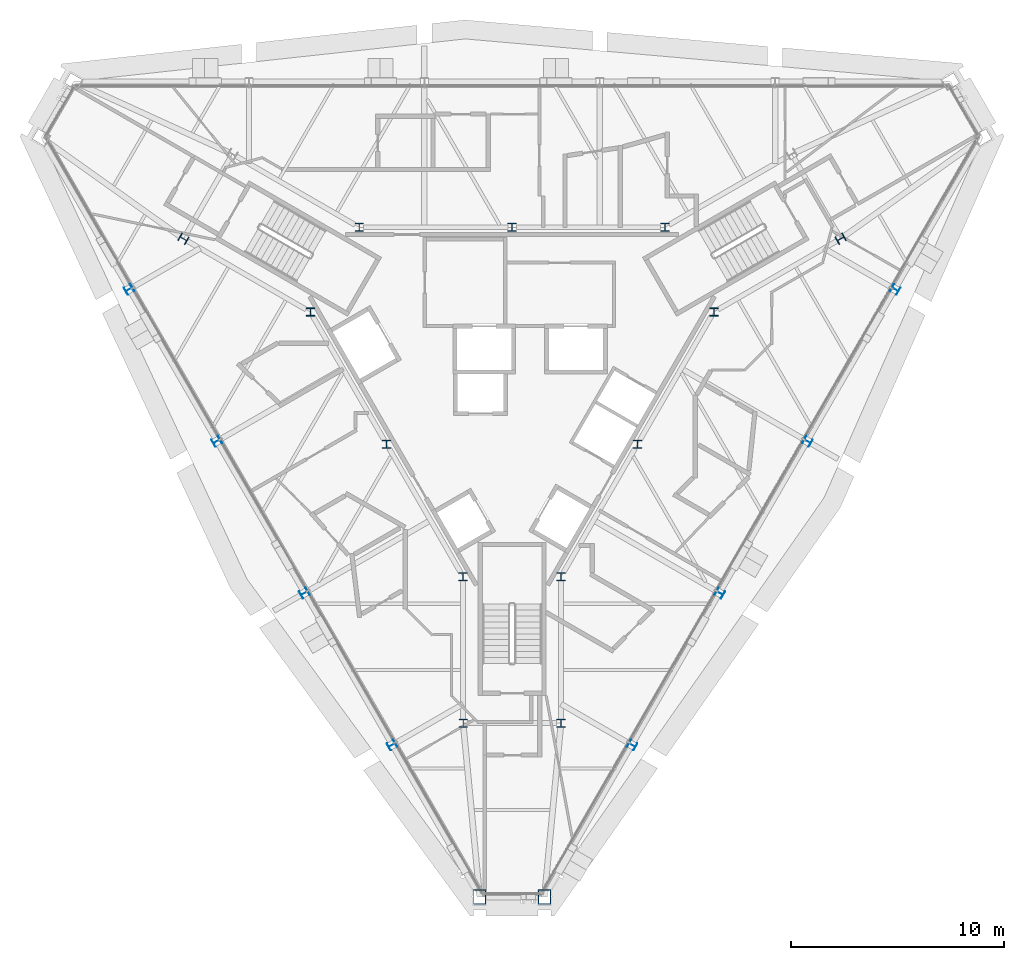
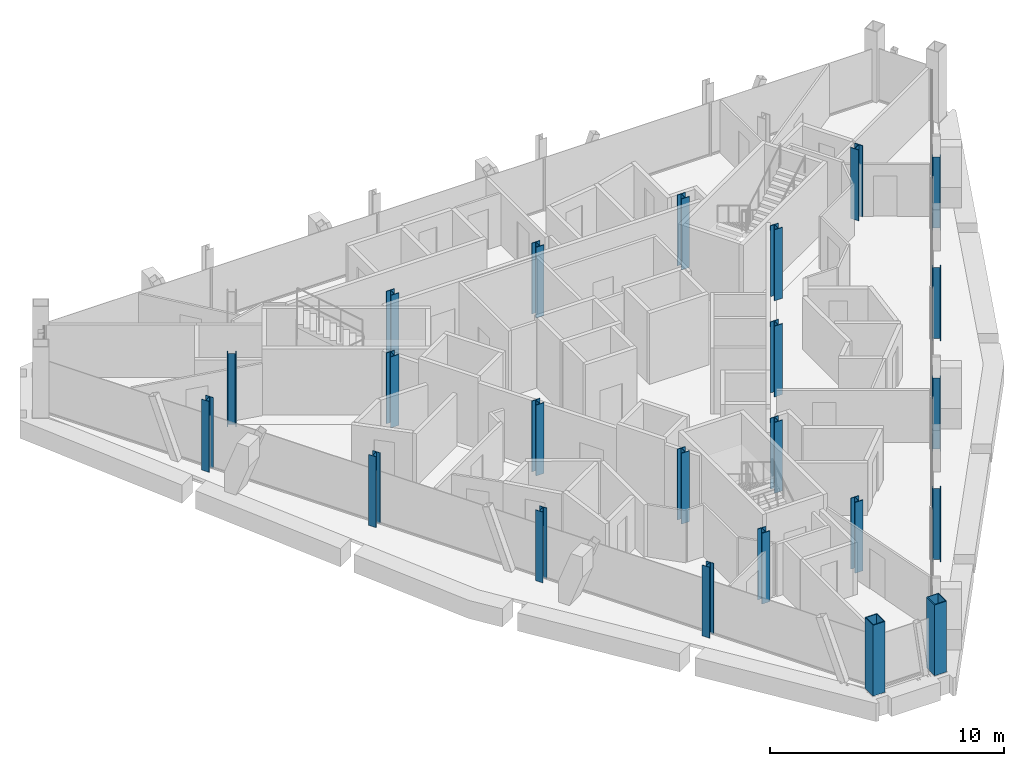
# One storey, part 1 of 13: 23 columns.
"""IFC4 building model written with IfcOpenShell, lengths in metres."""

from ifc_helpers import new_model, si_unit, direction, frame, origin, origin_2d, place, context, subcontext, project, spatial, hollow_rectangle, i_section, extrude, material, material_profile, profile_set, type_object, element, save


model = new_model("IFC4")

# Units and contexts
model_context = context("Model", 3, precision=1e-05, world=origin(), true_north=direction((0.0, 1.0)))
body_context = subcontext(model_context, "Body", "Model", "MODEL_VIEW")
ifc_project = project(units=[si_unit("LENGTHUNIT", "METRE"), si_unit("AREAUNIT", "SQUARE_METRE"), si_unit("VOLUMEUNIT", "CUBIC_METRE"), si_unit("PLANEANGLEUNIT", "RADIAN"), si_unit("MASSUNIT", "GRAM", prefix="KILO")], contexts=[model_context])

# Site, building, storey
site_placement = place(None, origin())
site = spatial("IfcSite", under=ifc_project, at=site_placement, CompositionType="ELEMENT")
building_placement = place(site_placement, origin())
building = spatial("IfcBuilding", under=site, at=building_placement, Name="Verrane Prism Tower", CompositionType="ELEMENT")
storey_placement = place(building_placement, frame((0.0, 0.0, 289.89990234375)))
storey = spatial("IfcBuildingStorey", under=building, at=storey_placement, Name="L73", CompositionType="ELEMENT", Elevation=289.89990234375)

# Columns
ifc_material_1 = material(Name="Steel A992", Category="steel")
ifc_material_profile_1 = material_profile(ifc_material_1, i_section(OverallWidth=0.4013671875, OverallDepth=0.398681640625, WebThickness=0.02490234375, FlangeThickness=0.03955078125, FilletRadius=0.01513671875, at=origin_2d()), Name="W14x211")
ifc_profile_set_1 = profile_set([ifc_material_profile_1], Name="Steel A992")
column_type_1 = type_object("IfcColumnType", Name="Core corner column W14x211", PredefinedType="COLUMN", material=ifc_profile_set_1)
for number, where, z_axis, x_axis, name in (
    (1, (15.43994140625, 6.260009765625, 0.0), (0.0, 0.0, 1.0), (0.5, -0.866025403784, 0.0), "Core corner column CK-NEm L73"),
    (2, (-15.43994140625, 6.260009765625, 0.0), (0.0, 0.0, 1.0), (0.5, 0.866025403784, 0.0), "Core corner column CK-NWp L73"),
    (3, (-2.300048828125, -16.5, 0.0), (0.0, 0.0, 1.0), (-1.0, 0.0, 0.0), "Core corner column CK-Sm L73"),
    (4, (2.300048828125, -16.5, 0.0), (0.0, 0.0, 1.0), (-1.0, 0.0, 0.0), "Core corner column CK-Sp L73"),
):
    element("IfcColumn", number, at=place(storey_placement, frame(where, z_axis=z_axis, x_axis=x_axis)), inside=storey, type_object=column_type_1, Name=name, PredefinedType="COLUMN", context=body_context, shape_type="SweptSolid", body=[
        extrude(i_section(OverallWidth=0.4013671875, OverallDepth=0.398681640625, WebThickness=0.02490234375, FlangeThickness=0.03955078125, FilletRadius=0.01513671875, at=origin_2d()), origin(), (0.0, 0.0, 1.0), 3.7001953125),
    ])
ifc_material_2 = material(Name="Steel A992", Category="steel")
ifc_material_profile_2 = material_profile(ifc_material_2, i_section(OverallWidth=0.398681640625, OverallDepth=0.385986328125, WebThickness=0.02099609375, FlangeThickness=0.033203125, FilletRadius=0.01513671875, at=origin_2d()), Name="W14x176")
ifc_profile_set_2 = profile_set([ifc_material_profile_2], Name="Steel A992")
column_type_2 = type_object("IfcColumnType", Name="Core side column W14x176", PredefinedType="COLUMN", material=ifc_profile_set_2)
for number, where, z_axis, x_axis, name in (
    (5, (9.47998046875, 2.820068359375, 0.0), (0.0, 0.0, 1.0), (1.0, 0.0, 0.0), "Core side column CC-NEm L73"),
    (6, (7.179931640625, 6.800048828125, 0.0), (0.0, 0.0, 1.0), (1.0, 0.0, 0.0), "Core side column CC-NEp L73"),
    (7, (0.0, 6.800048828125, 0.0), (0.0, 0.0, 1.0), (1.0, 0.0, 0.0), "Core side column CC-N0 L73"),
    (8, (-7.179931640625, 6.800048828125, 0.0), (0.0, 0.0, 1.0), (1.0, 0.0, 0.0), "Core side column CC-NWm L73"),
    (9, (-9.47998046875, 2.820068359375, 0.0), (0.0, 0.0, 1.0), (1.0, 0.0, 0.0), "Core side column CC-NWp L73"),
    (10, (-5.889892578125, -3.39990234375, 0.0), (0.0, 0.0, 1.0), (1.0, 0.0, 0.0), "Core side column CC-SW0 L73"),
    (11, (-2.300048828125, -9.6201171875, 0.0), (0.0, 0.0, 1.0), (1.0, 0.0, 0.0), "Core side column CC-Sm L73"),
    (12, (2.300048828125, -9.6201171875, 0.0), (0.0, 0.0, 1.0), (1.0, 0.0, 0.0), "Core side column CC-Sp L73"),
    (13, (5.889892578125, -3.39990234375, 0.0), (0.0, 0.0, 1.0), (1.0, 0.0, 0.0), "Core side column CC-SE0 L73"),
):
    element("IfcColumn", number, at=place(storey_placement, frame(where, z_axis=z_axis, x_axis=x_axis)), inside=storey, type_object=column_type_2, Name=name, PredefinedType="COLUMN", context=body_context, shape_type="SweptSolid", body=[
        extrude(i_section(OverallWidth=0.398681640625, OverallDepth=0.385986328125, WebThickness=0.02099609375, FlangeThickness=0.033203125, FilletRadius=0.01513671875, at=origin_2d()), origin(), (0.0, 0.0, 1.0), 3.7001953125),
    ])
ifc_material_3 = material(Name="Steel A572 Grade 50", Category="steel")
ifc_material_profile_3 = material_profile(ifc_material_3, hollow_rectangle(XDim=0.60009765625, YDim=0.699951171875, WallThickness=0.0400390625, at=origin_2d()), Name="BOX 700x600x40")
ifc_profile_set_3 = profile_set([ifc_material_profile_3], Name="Steel A572 Grade 50")
column_type_3 = type_object("IfcColumnType", Name="Megacolumn BOX 700x600x40", PredefinedType="COLUMN", material=ifc_profile_set_3)
for number, where, z_axis, x_axis, name in (
    (14, (-1.52001953125, -24.669921875, 0.0), (0.0, 0.0, 1.0), (-1.0, 0.0, 0.0), "Megacolumn MC-S.a L73"),
    (15, (1.52001953125, -24.669921875, 0.0), (0.0, 0.0, 1.0), (-1.0, 0.0, 0.0), "Megacolumn MC-S.b L73"),
):
    element("IfcColumn", number, at=place(storey_placement, frame(where, z_axis=z_axis, x_axis=x_axis)), inside=storey, type_object=column_type_3, Name=name, PredefinedType="COLUMN", context=body_context, shape_type="SweptSolid", body=[
        extrude(hollow_rectangle(XDim=0.60009765625, YDim=0.699951171875, WallThickness=0.0400390625, at=origin_2d()), origin(), (0.0, 0.0, 1.0), 3.7001953125),
    ])
ifc_material_4 = material(Name="Steel A992", Category="steel")
ifc_material_profile_4 = material_profile(ifc_material_4, i_section(OverallWidth=0.373291015625, OverallDepth=0.368408203125, WebThickness=0.014892578125, FlangeThickness=0.02392578125, FilletRadius=0.01513671875, at=origin_2d()), Name="W14x120")
ifc_profile_set_4 = profile_set([ifc_material_profile_4], Name="Steel A992")
column_type_4 = type_object("IfcColumnType", Name="Perimeter column W14x120", PredefinedType="COLUMN", material=ifc_profile_set_4)
for number, where, z_axis, x_axis, name in (
    (16, (-18.0, 3.8798828125, 0.0), (0.0, 0.0, 1.0), (-0.5, 0.866025403784, 0.0), "Perimeter column PC-SW1 L73"),
    (17, (-13.8798828125, -3.260009765625, 0.0), (0.0, 0.0, 1.0), (-0.5, 0.866025403784, 0.0), "Perimeter column PC-SW2 L73"),
    (18, (-9.760009765625, -10.389892578125, 0.0), (0.0, 0.0, 1.0), (-0.5, 0.866025403784, 0.0), "Perimeter column PC-SW3 L73"),
    (19, (-5.639892578125, -17.530029296875, 0.0), (0.0, 0.0, 1.0), (-0.5, 0.866025403784, 0.0), "Perimeter column PC-SW4 L73"),
    (20, (5.639892578125, -17.530029296875, 0.0), (0.0, 0.0, 1.0), (-0.5, -0.866025403784, 0.0), "Perimeter column PC-SE1 L73"),
    (21, (9.760009765625, -10.389892578125, 0.0), (0.0, 0.0, 1.0), (-0.5, -0.866025403784, 0.0), "Perimeter column PC-SE2 L73"),
    (22, (13.8798828125, -3.260009765625, 0.0), (0.0, 0.0, 1.0), (-0.5, -0.866025403784, 0.0), "Perimeter column PC-SE3 L73"),
    (23, (18.0, 3.8798828125, 0.0), (0.0, 0.0, 1.0), (-0.5, -0.866025403784, 0.0), "Perimeter column PC-SE4 L73"),
):
    element("IfcColumn", number, at=place(storey_placement, frame(where, z_axis=z_axis, x_axis=x_axis)), inside=storey, type_object=column_type_4, Name=name, PredefinedType="COLUMN", context=body_context, shape_type="SweptSolid", body=[
        extrude(i_section(OverallWidth=0.373291015625, OverallDepth=0.368408203125, WebThickness=0.014892578125, FlangeThickness=0.02392578125, FilletRadius=0.01513671875, at=origin_2d()), origin(), (0.0, 0.0, 1.0), 3.7001953125),
    ])

save(model, "model.ifc")
